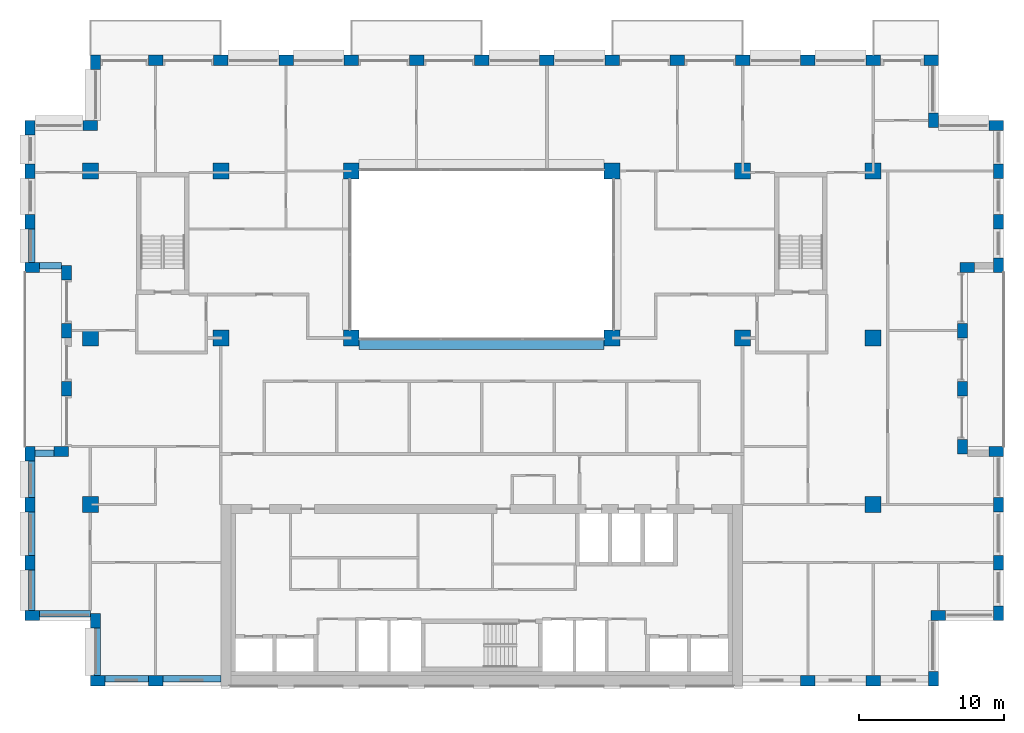
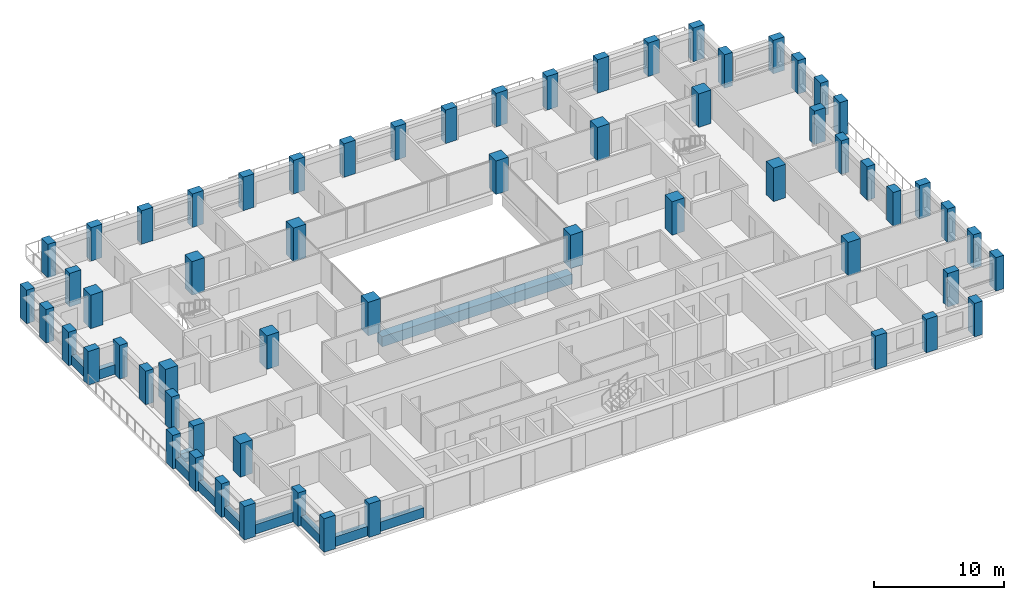
# One storey, part 1 of 15: 61 columns, 11 beams.
"""IFC4 building model written with IfcOpenShell, lengths in metres."""

from ifc_helpers import new_model, si_unit, direction, frame, origin, origin_2d, place, context, subcontext, project, spatial, rectangle, extrude, material, material_profile, profile_set, type_object, element, save


model = new_model("IFC4")

# Units and contexts
model_context = context("Model", 3, precision=1e-05, world=origin(), true_north=direction((0.0, 1.0)))
body_context = subcontext(model_context, "Body", "Model", "MODEL_VIEW")
ifc_project = project(units=[si_unit("LENGTHUNIT", "METRE"), si_unit("AREAUNIT", "SQUARE_METRE"), si_unit("VOLUMEUNIT", "CUBIC_METRE"), si_unit("PLANEANGLEUNIT", "RADIAN"), si_unit("MASSUNIT", "GRAM", prefix="KILO")], contexts=[model_context])

# Site, building, storey
site_placement = place(None, origin())
site = spatial("IfcSite", under=ifc_project, at=site_placement, CompositionType="ELEMENT")
building_placement = place(site_placement, origin())
building = spatial("IfcBuilding", under=site, at=building_placement, Name="Brigalow Station Residences", CompositionType="ELEMENT")
storey_placement = place(building_placement, frame((0.0, 0.0, 150.75)))
storey = spatial("IfcBuildingStorey", under=building, at=storey_placement, Name="L43", CompositionType="ELEMENT", Elevation=150.75)

# Columns
ifc_material_1 = material(Name="Concrete C65", Category="concrete")
ifc_material_profile_1 = material_profile(ifc_material_1, rectangle(XDim=1.10009765625, YDim=1.10009765625, at=origin_2d()), Name="RC1100x1100")
ifc_profile_set_1 = profile_set([ifc_material_profile_1], Name="Concrete C65")
column_type_1 = type_object("IfcColumnType", Name="COLUMN 1100x1100 C65", PredefinedType="COLUMN", material=ifc_profile_set_1)
for number, where, z_axis, x_axis, name in (
    (1, (9.0, 24.0, 0.0), (0.0, 0.0, 1.0), (1.0, 0.0, 0.0), "COLUMN C1 L43"),
    (2, (18.0, 24.0, 0.0), (0.0, 0.0, 1.0), (1.0, 0.0, 0.0), "COLUMN C2 L43"),
    (3, (27.0, 24.0, 0.0), (0.0, 0.0, 1.0), (1.0, 0.0, 0.0), "COLUMN C3 L43"),
    (4, (45.0, 24.0, 0.0), (0.0, 0.0, 1.0), (1.0, 0.0, 0.0), "COLUMN C5 L43"),
    (5, (54.0, 24.0, 0.0), (0.0, 0.0, 1.0), (1.0, 0.0, 0.0), "COLUMN C6 L43"),
    (6, (63.0, 24.0, 0.0), (0.0, 0.0, 1.0), (1.0, 0.0, 0.0), "COLUMN C7 L43"),
    (7, (9.0, 35.5, 0.0), (0.0, 0.0, 1.0), (1.0, 0.0, 0.0), "COLUMN D1 L43"),
    (8, (18.0, 35.5, 0.0), (0.0, 0.0, 1.0), (1.0, 0.0, 0.0), "COLUMN D2 L43"),
    (9, (27.0, 35.5, 0.0), (0.0, 0.0, 1.0), (1.0, 0.0, 0.0), "COLUMN D3 L43"),
    (10, (45.0, 35.5, 0.0), (0.0, 0.0, 1.0), (1.0, 0.0, 0.0), "COLUMN D5 L43"),
    (11, (54.0, 35.5, 0.0), (0.0, 0.0, 1.0), (1.0, 0.0, 0.0), "COLUMN D6 L43"),
    (12, (63.0, 35.5, 0.0), (0.0, 0.0, 1.0), (1.0, 0.0, 0.0), "COLUMN D7 L43"),
    (13, (9.0, 12.5, 0.0), (0.0, 0.0, 1.0), (1.0, 0.0, 0.0), "COLUMN B1 L43"),
    (14, (63.0, 12.5, 0.0), (0.0, 0.0, 1.0), (1.0, 0.0, 0.0), "COLUMN B7 L43"),
):
    element("IfcColumn", number, at=place(storey_placement, frame(where, z_axis=z_axis, x_axis=x_axis)), inside=storey, type_object=column_type_1, Name=name, PredefinedType="COLUMN", context=body_context, shape_type="SweptSolid", body=[
        extrude(rectangle(XDim=1.10009765625, YDim=1.10009765625, at=origin_2d()), origin(), (0.0, 0.0, 1.0), 3.14990234375),
    ])
ifc_material_2 = material(Name="Concrete C65", Category="concrete")
ifc_material_profile_2 = material_profile(ifc_material_2, rectangle(XDim=1.0, YDim=0.699951171875, at=origin_2d()), Name="RC1000x700")
ifc_profile_set_2 = profile_set([ifc_material_profile_2], Name="Concrete C65")
column_type_2 = type_object("IfcColumnType", Name="PIER 1000x700 C65", PredefinedType="USERDEFINED", material=ifc_profile_set_2)
for number, where, z_axis, x_axis, name in (
    (15, (9.5, 0.35009765625, 0.0), (0.0, 0.0, 1.0), (1.0, 0.0, 0.0), "PIER S-1 L43"),
    (16, (13.5, 0.35009765625, 0.0), (0.0, 0.0, 1.0), (1.0, 0.0, 0.0), "PIER S-2 L43"),
    (17, (58.5, 0.35009765625, 0.0), (0.0, 0.0, 1.0), (1.0, 0.0, 0.0), "PIER S-12 L43"),
    (18, (63.0, 0.35009765625, 0.0), (0.0, 0.0, 1.0), (1.0, 0.0, 0.0), "PIER S-13 L43"),
    (19, (67.14990234375, 0.5, 0.0), (0.0, 0.0, 1.0), (0.0, 1.0, 0.0), "PIER SE1-1 L43"),
    (20, (67.5, 4.85009765625, 0.0), (0.0, 0.0, 1.0), (1.0, 0.0, 0.0), "PIER SE2-1 L43"),
    (21, (71.64990234375, 5.0, 0.0), (0.0, 0.0, 1.0), (0.0, 1.0, 0.0), "PIER E1-1 L43"),
    (22, (71.64990234375, 8.5, 0.0), (0.0, 0.0, 1.0), (0.0, 1.0, 0.0), "PIER E1-2 L43"),
    (23, (71.64990234375, 12.5, 0.0), (0.0, 0.0, 1.0), (0.0, 1.0, 0.0), "PIER E1-3 L43"),
    (24, (71.5, 16.14990234375, 0.0), (0.0, 0.0, 1.0), (-1.0, 0.0, 0.0), "PIER EL1-1 L43"),
    (25, (69.14990234375, 16.5, 0.0), (0.0, 0.0, 1.0), (0.0, 1.0, 0.0), "PIER EL2-1 L43"),
    (26, (69.14990234375, 20.5, 0.0), (0.0, 0.0, 1.0), (0.0, 1.0, 0.0), "PIER EL2-2 L43"),
    (27, (69.14990234375, 24.5, 0.0), (0.0, 0.0, 1.0), (0.0, 1.0, 0.0), "PIER EL2-3 L43"),
    (28, (69.5, 28.85009765625, 0.0), (0.0, 0.0, 1.0), (1.0, 0.0, 0.0), "PIER EL3-1 L43"),
    (29, (71.64990234375, 29.0, 0.0), (0.0, 0.0, 1.0), (0.0, 1.0, 0.0), "PIER E2-1 L43"),
    (30, (71.64990234375, 32.0, 0.0), (0.0, 0.0, 1.0), (0.0, 1.0, 0.0), "PIER E2-2 L43"),
    (31, (71.64990234375, 35.5, 0.0), (0.0, 0.0, 1.0), (0.0, 1.0, 0.0), "PIER E2-3 L43"),
    (32, (71.5, 38.64990234375, 0.0), (0.0, 0.0, 1.0), (-1.0, 0.0, 0.0), "PIER NE1-1 L43"),
    (33, (67.14990234375, 39.0, 0.0), (0.0, 0.0, 1.0), (0.0, 1.0, 0.0), "PIER NE2-1 L43"),
    (34, (67.0, 43.14990234375, 0.0), (0.0, 0.0, 1.0), (-1.0, 0.0, 0.0), "PIER N-1 L43"),
    (35, (63.0, 43.14990234375, 0.0), (0.0, 0.0, 1.0), (-1.0, 0.0, 0.0), "PIER N-2 L43"),
    (36, (58.5, 43.14990234375, 0.0), (0.0, 0.0, 1.0), (-1.0, 0.0, 0.0), "PIER N-3 L43"),
    (37, (54.0, 43.14990234375, 0.0), (0.0, 0.0, 1.0), (-1.0, 0.0, 0.0), "PIER N-4 L43"),
    (38, (49.5, 43.14990234375, 0.0), (0.0, 0.0, 1.0), (-1.0, 0.0, 0.0), "PIER N-5 L43"),
    (39, (45.0, 43.14990234375, 0.0), (0.0, 0.0, 1.0), (-1.0, 0.0, 0.0), "PIER N-6 L43"),
    (40, (40.5, 43.14990234375, 0.0), (0.0, 0.0, 1.0), (-1.0, 0.0, 0.0), "PIER N-7 L43"),
    (41, (36.0, 43.14990234375, 0.0), (0.0, 0.0, 1.0), (-1.0, 0.0, 0.0), "PIER N-8 L43"),
    (42, (31.5, 43.14990234375, 0.0), (0.0, 0.0, 1.0), (-1.0, 0.0, 0.0), "PIER N-9 L43"),
    (43, (27.0, 43.14990234375, 0.0), (0.0, 0.0, 1.0), (-1.0, 0.0, 0.0), "PIER N-10 L43"),
    (44, (22.5, 43.14990234375, 0.0), (0.0, 0.0, 1.0), (-1.0, 0.0, 0.0), "PIER N-11 L43"),
    (45, (18.0, 43.14990234375, 0.0), (0.0, 0.0, 1.0), (-1.0, 0.0, 0.0), "PIER N-12 L43"),
    (46, (13.5, 43.14990234375, 0.0), (0.0, 0.0, 1.0), (-1.0, 0.0, 0.0), "PIER N-13 L43"),
    (47, (9.35009765625, 43.0, 0.0), (0.0, 0.0, 1.0), (0.0, -1.0, 0.0), "PIER NW1-1 L43"),
    (48, (9.0, 38.64990234375, 0.0), (0.0, 0.0, 1.0), (-1.0, 0.0, 0.0), "PIER NW2-1 L43"),
    (49, (4.85009765625, 38.5, 0.0), (0.0, 0.0, 1.0), (0.0, -1.0, 0.0), "PIER W2-1 L43"),
    (50, (4.85009765625, 35.5, 0.0), (0.0, 0.0, 1.0), (0.0, -1.0, 0.0), "PIER W2-2 L43"),
    (51, (4.85009765625, 32.0, 0.0), (0.0, 0.0, 1.0), (0.0, -1.0, 0.0), "PIER W2-3 L43"),
    (52, (5.0, 28.85009765625, 0.0), (0.0, 0.0, 1.0), (1.0, 0.0, 0.0), "PIER WL1-1 L43"),
    (53, (7.35009765625, 28.5, 0.0), (0.0, 0.0, 1.0), (0.0, -1.0, 0.0), "PIER WL2-1 L43"),
    (54, (7.35009765625, 24.5, 0.0), (0.0, 0.0, 1.0), (0.0, -1.0, 0.0), "PIER WL2-2 L43"),
    (55, (7.35009765625, 20.5, 0.0), (0.0, 0.0, 1.0), (0.0, -1.0, 0.0), "PIER WL2-3 L43"),
    (56, (7.0, 16.14990234375, 0.0), (0.0, 0.0, 1.0), (-1.0, 0.0, 0.0), "PIER WL3-1 L43"),
    (57, (4.85009765625, 16.0, 0.0), (0.0, 0.0, 1.0), (0.0, -1.0, 0.0), "PIER W1-1 L43"),
    (58, (4.85009765625, 12.5, 0.0), (0.0, 0.0, 1.0), (0.0, -1.0, 0.0), "PIER W1-2 L43"),
    (59, (4.85009765625, 8.5, 0.0), (0.0, 0.0, 1.0), (0.0, -1.0, 0.0), "PIER W1-3 L43"),
    (60, (5.0, 4.85009765625, 0.0), (0.0, 0.0, 1.0), (1.0, 0.0, 0.0), "PIER SW1-1 L43"),
    (61, (9.35009765625, 4.5, 0.0), (0.0, 0.0, 1.0), (0.0, -1.0, 0.0), "PIER SW2-1 L43"),
):
    element("IfcColumn", number, at=place(storey_placement, frame(where, z_axis=z_axis, x_axis=x_axis)), inside=storey, type_object=column_type_2, Name=name, ObjectType="PIER", PredefinedType="USERDEFINED", context=body_context, shape_type="SweptSolid", body=[
        extrude(rectangle(XDim=1.0, YDim=0.699951171875, at=origin_2d()), origin(), (0.0, 0.0, 1.0), 3.14990234375),
    ])

# Beams
ifc_material_3 = material(Name="Concrete C65", Category="concrete")
ifc_material_profile_3 = material_profile(ifc_material_3, rectangle(XDim=0.800048828125, YDim=0.949951171875, at=origin_2d()), Name="RC800x950")
ifc_profile_set_3 = profile_set([ifc_material_profile_3], Name="Concrete C65")
beam_type_1 = type_object("IfcBeamType", Name="ATRIUM EDGE GIRDER OVER 13.5 M SPAN 800x950 C65", PredefinedType="BEAM", material=ifc_profile_set_3)
beam_1_placement = place(storey_placement, frame((27.550048828125, 23.60009765625, -0.794921875), z_axis=(1.0, 0.0, 0.0), x_axis=(0.0, 1.0, 0.0)))
element("IfcBeam", 62, at=beam_1_placement, inside=storey, type_object=beam_type_1, Name="ATRIUM EDGE GIRDER C L43", PredefinedType="BEAM", context=body_context, shape_type="SweptSolid", body=[
    extrude(rectangle(XDim=0.800048828125, YDim=0.949951171875, at=origin_2d()), origin(), (0.0, 0.0, 1.0), 16.89990234375),
])
ifc_material_4 = material(Name="Concrete C50", Category="concrete")
ifc_material_profile_4 = material_profile(ifc_material_4, rectangle(XDim=0.449951171875, YDim=0.89990234375, at=origin_2d()), Name="RC450x900")
ifc_profile_set_4 = profile_set([ifc_material_profile_4], Name="Concrete C50")
beam_type_2 = type_object("IfcBeamType", Name="SPANDREL BEAM 450x900 C50", PredefinedType="SPANDREL", material=ifc_profile_set_4)
beam_2_placement = place(storey_placement, frame((10.0, 0.47509765625, 0.449951171875), z_axis=(1.0, 0.0, 0.0), x_axis=(0.0, 1.0, 0.0)))
element("IfcBeam", 63, at=beam_2_placement, inside=storey, type_object=beam_type_2, Name="L43/spandrel/W-L43-1", PredefinedType="SPANDREL", context=body_context, shape_type="SweptSolid", body=[
    extrude(rectangle(XDim=0.449951171875, YDim=0.89990234375, at=origin_2d()), origin(), (0.0, 0.0, 1.0), 3.0),
])
beam_3_placement = place(storey_placement, frame((14.0, 0.47509765625, 0.449951171875), z_axis=(1.0, 0.0, 0.0), x_axis=(0.0, 1.0, 0.0)))
element("IfcBeam", 64, at=beam_3_placement, inside=storey, type_object=beam_type_2, Name="L43/spandrel/W-L43-2", PredefinedType="SPANDREL", context=body_context, shape_type="SweptSolid", body=[
    extrude(rectangle(XDim=0.449951171875, YDim=0.89990234375, at=origin_2d()), origin(), (0.0, 0.0, 1.0), 4.0),
])
beam_4_placement = place(storey_placement, frame((4.97509765625, 31.5, 0.449951171875), z_axis=(0.0, -1.0, 0.0), x_axis=(1.0, 0.0, 0.0)))
element("IfcBeam", 65, at=beam_4_placement, inside=storey, type_object=beam_type_2, Name="L43/spandrel/W-L43-39", PredefinedType="SPANDREL", context=body_context, shape_type="SweptSolid", body=[
    extrude(rectangle(XDim=0.449951171875, YDim=0.89990234375, at=origin_2d()), origin(), (0.0, 0.0, 1.0), 2.300048828125),
])
beam_5_placement = place(storey_placement, frame((5.5, 28.97509765625, 0.449951171875), z_axis=(1.0, 0.0, 0.0), x_axis=(0.0, 1.0, 0.0)))
element("IfcBeam", 66, at=beam_5_placement, inside=storey, type_object=beam_type_2, Name="L43/spandrel/W-L43-40", PredefinedType="SPANDREL", context=body_context, shape_type="SweptSolid", body=[
    extrude(rectangle(XDim=0.449951171875, YDim=0.89990234375, at=origin_2d()), origin(), (0.0, 0.0, 1.0), 1.5),
])
beam_6_placement = place(storey_placement, frame((6.5, 16.02490234375, 0.449951171875), z_axis=(-1.0, 0.0, 0.0), x_axis=(0.0, -1.0, 0.0)))
element("IfcBeam", 67, at=beam_6_placement, inside=storey, type_object=beam_type_2, Name="L43/spandrel/W-L43-44", PredefinedType="SPANDREL", context=body_context, shape_type="SweptSolid", body=[
    extrude(rectangle(XDim=0.449951171875, YDim=0.89990234375, at=origin_2d()), origin(), (0.0, 0.0, 1.0), 1.300048828125),
])
beam_7_placement = place(storey_placement, frame((4.97509765625, 15.5, 0.449951171875), z_axis=(0.0, -1.0, 0.0), x_axis=(1.0, 0.0, 0.0)))
element("IfcBeam", 68, at=beam_7_placement, inside=storey, type_object=beam_type_2, Name="L43/spandrel/W-L43-45", PredefinedType="SPANDREL", context=body_context, shape_type="SweptSolid", body=[
    extrude(rectangle(XDim=0.449951171875, YDim=0.89990234375, at=origin_2d()), origin(), (0.0, 0.0, 1.0), 2.5),
])
beam_8_placement = place(storey_placement, frame((4.97509765625, 12.0, 0.449951171875), z_axis=(0.0, -1.0, 0.0), x_axis=(1.0, 0.0, 0.0)))
element("IfcBeam", 69, at=beam_8_placement, inside=storey, type_object=beam_type_2, Name="L43/spandrel/W-L43-46", PredefinedType="SPANDREL", context=body_context, shape_type="SweptSolid", body=[
    extrude(rectangle(XDim=0.449951171875, YDim=0.89990234375, at=origin_2d()), origin(), (0.0, 0.0, 1.0), 3.0),
])
beam_9_placement = place(storey_placement, frame((4.97509765625, 8.0, 0.449951171875), z_axis=(0.0, -1.0, 0.0), x_axis=(1.0, 0.0, 0.0)))
element("IfcBeam", 70, at=beam_9_placement, inside=storey, type_object=beam_type_2, Name="L43/spandrel/W-L43-47", PredefinedType="SPANDREL", context=body_context, shape_type="SweptSolid", body=[
    extrude(rectangle(XDim=0.449951171875, YDim=0.89990234375, at=origin_2d()), origin(), (0.0, 0.0, 1.0), 2.800048828125),
])
beam_10_placement = place(storey_placement, frame((5.5, 4.97509765625, 0.449951171875), z_axis=(1.0, 0.0, 0.0), x_axis=(0.0, 1.0, 0.0)))
element("IfcBeam", 71, at=beam_10_placement, inside=storey, type_object=beam_type_2, Name="L43/spandrel/W-L43-48", PredefinedType="SPANDREL", context=body_context, shape_type="SweptSolid", body=[
    extrude(rectangle(XDim=0.449951171875, YDim=0.89990234375, at=origin_2d()), origin(), (0.0, 0.0, 1.0), 3.5),
])
beam_11_placement = place(storey_placement, frame((9.47509765625, 4.0, 0.449951171875), z_axis=(0.0, -1.0, 0.0), x_axis=(1.0, 0.0, 0.0)))
element("IfcBeam", 72, at=beam_11_placement, inside=storey, type_object=beam_type_2, Name="L43/spandrel/W-L43-49", PredefinedType="SPANDREL", context=body_context, shape_type="SweptSolid", body=[
    extrude(rectangle(XDim=0.449951171875, YDim=0.89990234375, at=origin_2d()), origin(), (0.0, 0.0, 1.0), 3.300048828125),
])

save(model, "model.ifc")
